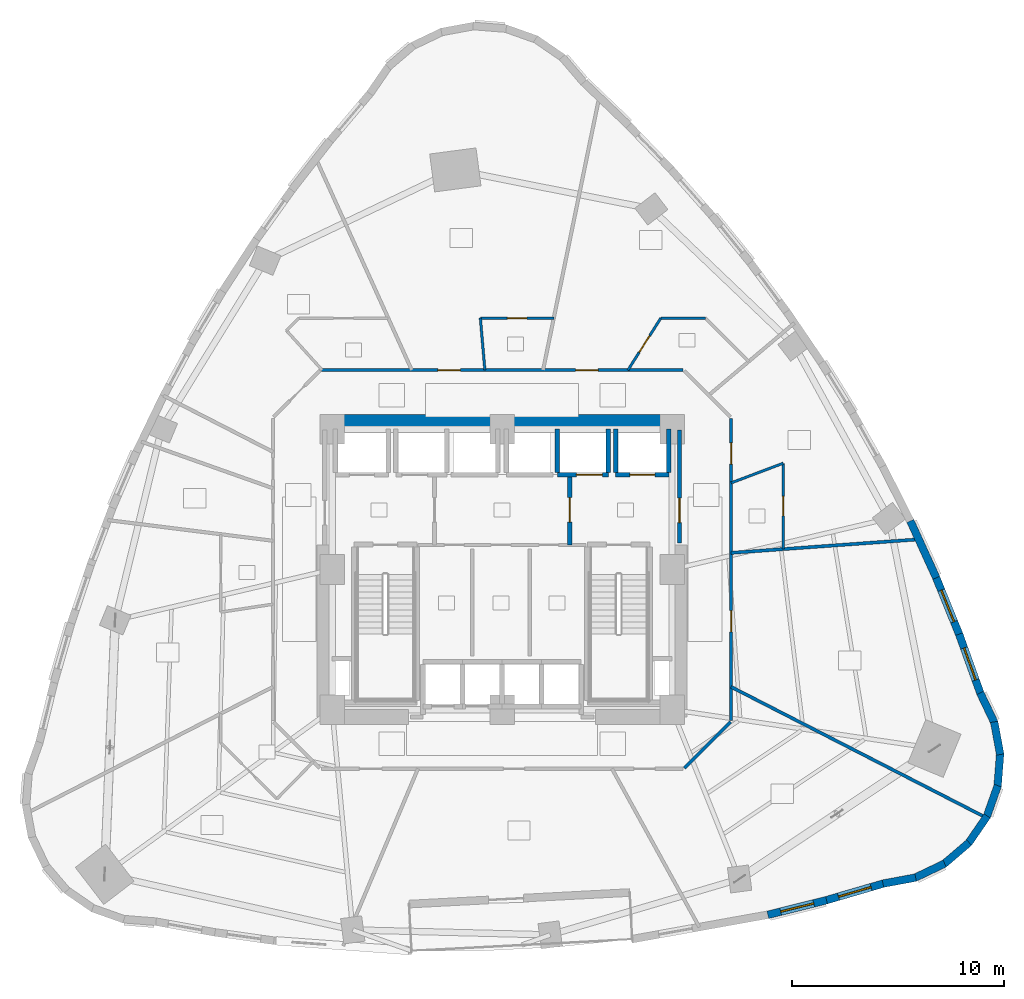
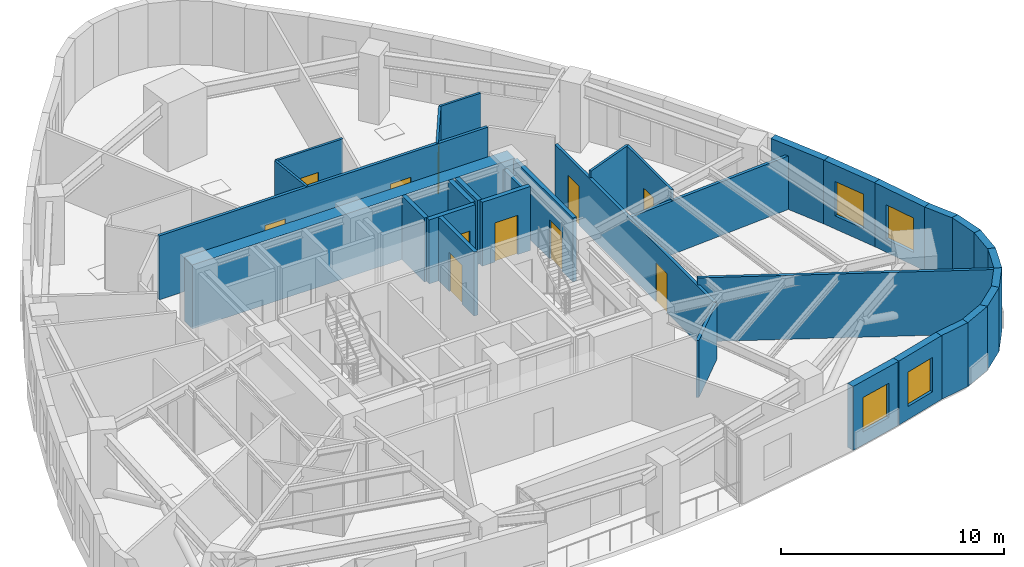
# One storey, part 7 of 11: 33 walls, 11 doors, 4 windows, 15 openings.
"""IFC4 building model written with IfcOpenShell, lengths in metres."""

from ifc_helpers import new_model, si_unit, direction, frame, frame_2d, origin, place, context, subcontext, project, spatial, rectangle, extrude, material, layer, layer_set, type_object, element, fill, save


model = new_model("IFC4")

# Units and contexts
model_context = context("Model", 3, precision=1e-05, world=origin(), true_north=direction((0.0, 1.0)))
body_context = subcontext(model_context, "Body", "Model", "MODEL_VIEW")
ifc_project = project(units=[si_unit("LENGTHUNIT", "METRE"), si_unit("AREAUNIT", "SQUARE_METRE"), si_unit("VOLUMEUNIT", "CUBIC_METRE"), si_unit("PLANEANGLEUNIT", "RADIAN"), si_unit("MASSUNIT", "GRAM", prefix="KILO")], contexts=[model_context])

# Site, building, storey
site_placement = place(None, origin())
site = spatial("IfcSite", under=ifc_project, at=site_placement, CompositionType="ELEMENT")
building_placement = place(site_placement, origin())
building = spatial("IfcBuilding", under=site, at=building_placement, Name="Ndelora Gate Hotel", CompositionType="ELEMENT")
storey_placement = place(building_placement, frame((0.0, 0.0, 41.75)))
storey = spatial("IfcBuildingStorey", under=building, at=storey_placement, Name="L09", CompositionType="ELEMENT", Elevation=41.75)

# Wall, opening, window
ifc_material_1 = material(Name="Clay Brick Masonry", Category="masonry")
ifc_layer_1 = layer(ifc_material_1, 0.360107421875)
ifc_layer_set_1 = layer_set([ifc_layer_1], Name="Clay Brick Masonry")
wall_type_1 = type_object("IfcWallType", Name="WL-BRICK-360", PredefinedType="SOLIDWALL", material=ifc_layer_set_1)
wall_1_placement = place(storey_placement, frame((15.269775390625, -15.569091796875, 0.0), z_axis=(0.0, 0.0, 1.0), x_axis=(-0.970177808132, -0.242394349375, 0.0)))
wall_1 = element("IfcWall", 1, at=wall_1_placement, inside=storey, type_object=wall_type_1, Name="L09 Tower Brick Pier-and-Spandrel Wall TWR-37", PredefinedType="SOLIDWALL", context=body_context, shape_type="SweptSolid", body=[
    extrude(rectangle(XDim=2.846435546875, YDim=0.360107421875, at=frame_2d((1.42333984375, 0.0))), origin(), (0.0, 0.0, 1.0), 3.5),
])
opening_1_placement = place(wall_1_placement, frame((0.623291015625, 0.0, 0.719970703125)))
opening_1 = element("IfcOpeningElement", 2, at=opening_1_placement, cuts=wall_1, Name="Opening W03", PredefinedType="OPENING", context=body_context, shape_type="SweptSolid", body=[
    extrude(rectangle(XDim=1.60009765625, YDim=1.8798828125, at=frame_2d((0.800048828125, 0.93994140625))), frame((0.0, 0.18994140625, 0.0), z_axis=(0.0, -1.0, 0.0), x_axis=(1.0, 0.0, 0.0)), (0.0, 0.0, 1.0), 0.380126953125),
])
ifc_material_2 = material(Name="Insulated Low-E Double Glazing in Bronze Aluminium Frame", Category="aluminium")
window_type_1 = type_object("IfcWindowType", Name="WN-CORN-2100", PartitioningType="SINGLE_PANEL", PredefinedType="WINDOW", material=ifc_material_2)
window_1_placement = place(opening_1_placement, origin())
window_1 = element("IfcWindow", 3, at=window_1_placement, inside=storey, type_object=window_type_1, Name="L09 Deep-Set Brick-Pier Window W03", OverallHeight=1.8798828125, OverallWidth=1.60009765625, PartitioningType="SINGLE_PANEL", PredefinedType="WINDOW", context=body_context, shape_type="SweptSolid", body=[
    extrude(rectangle(XDim=1.60009765625, YDim=1.8798828125, at=frame_2d((0.800048828125, 0.93994140625))), frame((0.0, 0.030029296875, 0.0), z_axis=(0.0, -1.0, 0.0), x_axis=(1.0, 0.0, 0.0)), (0.0, 0.0, 1.0), 0.06005859375),
])
fill(opening_1, window_1)

wall_2_placement = place(storey_placement, frame((17.9765625, -14.777587890625, 0.0), z_axis=(0.0, 0.0, 1.0), x_axis=(-0.959918981308, -0.280277629013, 0.0)))
wall_2 = element("IfcWall", 4, at=wall_2_placement, inside=storey, type_object=wall_type_1, Name="L09 Tower Brick Pier-and-Spandrel Wall TWR-38", PredefinedType="SOLIDWALL", context=body_context, shape_type="SweptSolid", body=[
    extrude(rectangle(XDim=2.8701171875, YDim=0.360107421875, at=frame_2d((1.43505859375, 0.0))), origin(), (0.0, 0.0, 1.0), 3.5),
])
opening_2_placement = place(wall_2_placement, frame((0.635009765625, 0.0, 0.719970703125)))
opening_2 = element("IfcOpeningElement", 5, at=opening_2_placement, cuts=wall_2, Name="Opening W01", PredefinedType="OPENING", context=body_context, shape_type="SweptSolid", body=[
    extrude(rectangle(XDim=1.60009765625, YDim=1.8798828125, at=frame_2d((0.800048828125, 0.93994140625))), frame((0.0, 0.18994140625, 0.0), z_axis=(0.0, -1.0, 0.0), x_axis=(1.0, 0.0, 0.0)), (0.0, 0.0, 1.0), 0.380126953125),
])
window_type_2 = type_object("IfcWindowType", Name="WN-DEEP-1600", PartitioningType="SINGLE_PANEL", PredefinedType="WINDOW", material=ifc_material_2)
window_2_placement = place(opening_2_placement, origin())
window_2 = element("IfcWindow", 6, at=window_2_placement, inside=storey, type_object=window_type_2, Name="L09 Deep-Set Brick-Pier Window W01", OverallHeight=1.8798828125, OverallWidth=1.60009765625, PartitioningType="SINGLE_PANEL", PredefinedType="WINDOW", context=body_context, shape_type="SweptSolid", body=[
    extrude(rectangle(XDim=1.60009765625, YDim=1.8798828125, at=frame_2d((0.800048828125, 0.93994140625))), frame((0.0, 0.030029296875, 0.0), z_axis=(0.0, -1.0, 0.0), x_axis=(1.0, 0.0, 0.0)), (0.0, 0.0, 1.0), 0.06005859375),
])
fill(opening_2, window_2)

# Walls
for number, where, z_axis, x_axis, name in (
    (7, (19.4658203125, -14.504150390625, 0.0), (0.0, 0.0, 1.0), (-0.983239538779, -0.182318428527, 0.0), "L09 Tower Brick Pier-and-Spandrel Wall TWR-39"),
    (8, (20.830322265625, -13.84619140625, 0.0), (0.0, 0.0, 1.0), (-0.902577552294, -0.430527307026, 0.0), "L09 Tower Brick Pier-and-Spandrel Wall TWR-40"),
    (9, (21.978271484375, -12.857421875, 0.0), (0.0, 0.0, 1.0), (-0.760489297029, -0.649350467086, 0.0), "L09 Tower Brick Pier-and-Spandrel Wall TWR-41"),
):
    element("IfcWall", number, at=place(storey_placement, frame(where, z_axis=z_axis, x_axis=x_axis)), inside=storey, type_object=wall_type_1, Name=name, PredefinedType="SOLIDWALL", context=body_context, shape_type="SweptSolid", body=[
        extrude(rectangle(XDim=1.56396484375, YDim=0.360107421875, at=frame_2d((0.781982421875, 0.0))), origin(), (0.0, 0.0, 1.0), 3.5),
    ])
for number, where, z_axis, x_axis, name in (
    (10, (22.8310546875, -11.60498046875, 0.0), (0.0, 0.0, 1.0), (-0.56642283125, -0.824114783412, 0.0), "L09 Tower Brick Pier-and-Spandrel Wall TWR-42"),
    (11, (23.33056640625, -10.1748046875, 0.0), (0.0, 0.0, 1.0), (-0.333685345648, -0.942684512496, 0.0), "L09 Tower Brick Pier-and-Spandrel Wall TWR-43"),
    (12, (23.443115234375, -8.6640625, 0.0), (0.0, 0.0, 1.0), (-0.078510627557, -0.99691327675, 0.0), "L09 Tower Brick Pier-and-Spandrel Wall TWR-44"),
):
    element("IfcWall", number, at=place(storey_placement, frame(where, z_axis=z_axis, x_axis=x_axis)), inside=storey, type_object=wall_type_1, Name=name, PredefinedType="SOLIDWALL", context=body_context, shape_type="SweptSolid", body=[
        extrude(rectangle(XDim=1.564208984375, YDim=0.360107421875, at=frame_2d((0.7822265625, 0.0))), origin(), (0.0, 0.0, 1.0), 3.5),
    ])
wall_3_placement = place(storey_placement, frame((23.160400390625, -7.17578125, 0.0), z_axis=(0.0, 0.0, 1.0), x_axis=(0.182318428527, -0.983239538779, 0.0)))
element("IfcWall", 13, at=wall_3_placement, inside=storey, type_object=wall_type_1, Name="L09 Tower Brick Pier-and-Spandrel Wall TWR-45", PredefinedType="SOLIDWALL", context=body_context, shape_type="SweptSolid", body=[
    extrude(rectangle(XDim=1.56396484375, YDim=0.360107421875, at=frame_2d((0.781982421875, 0.0))), origin(), (0.0, 0.0, 1.0), 3.5),
])
wall_4_placement = place(storey_placement, frame((22.50244140625, -5.81103515625, 0.0), z_axis=(0.0, 0.0, 1.0), x_axis=(0.430466656099, -0.902606480138, 0.0)))
element("IfcWall", 14, at=wall_4_placement, inside=storey, type_object=wall_type_1, Name="L09 Tower Brick Pier-and-Spandrel Wall TWR-46", PredefinedType="SOLIDWALL", context=body_context, shape_type="SweptSolid", body=[
    extrude(rectangle(XDim=1.564208984375, YDim=0.360107421875, at=frame_2d((0.7822265625, 0.0))), origin(), (0.0, 0.0, 1.0), 3.5),
])

# Wall, opening, window
wall_5_placement = place(storey_placement, frame((21.511474609375, -3.04638671875, 0.0), z_axis=(0.0, 0.0, 1.0), x_axis=(0.338236051909, -0.941061301504, 0.0)))
wall_5 = element("IfcWall", 15, at=wall_5_placement, inside=storey, type_object=wall_type_1, Name="L09 Tower Brick Pier-and-Spandrel Wall TWR-47", PredefinedType="SOLIDWALL", context=body_context, shape_type="SweptSolid", body=[
    extrude(rectangle(XDim=2.98681640625, YDim=0.360107421875, at=frame_2d((1.493408203125, 0.0))), origin(), (0.0, 0.0, 1.0), 3.5),
])
opening_3_placement = place(wall_5_placement, frame((0.693603515625, 0.0, 0.719970703125)))
opening_3 = element("IfcOpeningElement", 16, at=opening_3_placement, cuts=wall_5, Name="Opening W01", PredefinedType="OPENING", context=body_context, shape_type="SweptSolid", body=[
    extrude(rectangle(XDim=1.60009765625, YDim=1.8798828125, at=frame_2d((0.800048828125, 0.93994140625))), frame((0.0, 0.18994140625, 0.0), z_axis=(0.0, -1.0, 0.0), x_axis=(1.0, 0.0, 0.0)), (0.0, 0.0, 1.0), 0.380126953125),
])
window_3_placement = place(opening_3_placement, origin())
window_3 = element("IfcWindow", 17, at=window_3_placement, inside=storey, type_object=window_type_2, Name="L09 Deep-Set Brick-Pier Window W01", OverallHeight=1.8798828125, OverallWidth=1.60009765625, PartitioningType="SINGLE_PANEL", PredefinedType="WINDOW", context=body_context, shape_type="SweptSolid", body=[
    extrude(rectangle(XDim=1.60009765625, YDim=1.8798828125, at=frame_2d((0.800048828125, 0.93994140625))), frame((0.0, 0.030029296875, 0.0), z_axis=(0.0, -1.0, 0.0), x_axis=(1.0, 0.0, 0.0)), (0.0, 0.0, 1.0), 0.06005859375),
])
fill(opening_3, window_3)

wall_6_placement = place(storey_placement, frame((20.41455078125, -0.349365234375, 0.0), z_axis=(0.0, 0.0, 1.0), x_axis=(0.376416849552, -0.926450406322, 0.0)))
wall_6 = element("IfcWall", 18, at=wall_6_placement, inside=storey, type_object=wall_type_1, Name="L09 Tower Brick Pier-and-Spandrel Wall TWR-48", PredefinedType="SOLIDWALL", context=body_context, shape_type="SweptSolid", body=[
    extrude(rectangle(XDim=2.96142578125, YDim=0.360107421875, at=frame_2d((1.480712890625, 0.0))), origin(), (0.0, 0.0, 1.0), 3.5),
])
opening_4_placement = place(wall_6_placement, frame((0.6806640625, 0.0, 0.719970703125)))
opening_4 = element("IfcOpeningElement", 19, at=opening_4_placement, cuts=wall_6, Name="Opening W01", PredefinedType="OPENING", context=body_context, shape_type="SweptSolid", body=[
    extrude(rectangle(XDim=1.60009765625, YDim=1.8798828125, at=frame_2d((0.800048828125, 0.93994140625))), frame((0.0, 0.18994140625, 0.0), z_axis=(0.0, -1.0, 0.0), x_axis=(1.0, 0.0, 0.0)), (0.0, 0.0, 1.0), 0.380126953125),
])
window_4_placement = place(opening_4_placement, origin())
window_4 = element("IfcWindow", 20, at=window_4_placement, inside=storey, type_object=window_type_2, Name="L09 Deep-Set Brick-Pier Window W01", OverallHeight=1.8798828125, OverallWidth=1.60009765625, PartitioningType="SINGLE_PANEL", PredefinedType="WINDOW", context=body_context, shape_type="SweptSolid", body=[
    extrude(rectangle(XDim=1.60009765625, YDim=1.8798828125, at=frame_2d((0.800048828125, 0.93994140625))), frame((0.0, 0.030029296875, 0.0), z_axis=(0.0, -1.0, 0.0), x_axis=(1.0, 0.0, 0.0)), (0.0, 0.0, 1.0), 0.06005859375),
])
fill(opening_4, window_4)

# Walls
wall_7_placement = place(storey_placement, frame((19.215087890625, 2.281005859375, 0.0), z_axis=(0.0, 0.0, 1.0), x_axis=(0.414578361646, -0.910013616412, 0.0)))
element("IfcWall", 21, at=wall_7_placement, inside=storey, type_object=wall_type_1, Name="L09 Tower Brick Pier-and-Spandrel Wall TWR-49", PredefinedType="SOLIDWALL", context=body_context, shape_type="SweptSolid", body=[
    extrude(rectangle(XDim=2.94091796875, YDim=0.360107421875, at=frame_2d((1.470458984375, 0.0))), origin(), (0.0, 0.0, 1.0), 3.5),
])
ifc_material_3 = material(Name="Concrete C60/75", Category="concrete")
ifc_layer_2 = layer(ifc_material_3, 0.699951171875)
ifc_layer_set_2 = layer_set([ifc_layer_2], Name="Concrete C60/75")
wall_type_2 = type_object("IfcWallType", Name="WL-CORE-700", PredefinedType="SHEAR", material=ifc_layer_set_2)
wall_8_placement = place(storey_placement, frame((-8.35009765625, 6.949951171875, 0.0), z_axis=(0.0, 0.0, 1.0), x_axis=(1.0, 0.0, 0.0)))
element("IfcWall", 22, at=wall_8_placement, inside=storey, type_object=wall_type_2, Name="L09 Core Shear Wall N", PredefinedType="SHEAR", context=body_context, shape_type="SweptSolid", body=[
    extrude(rectangle(XDim=16.7001953125, YDim=0.699951171875, at=frame_2d((8.35009765625, 0.0))), origin(), (0.0, 0.0, 1.0), 3.5),
])

# Wall, opening, door
ifc_material_4 = material(Name="Concrete C40/50", Category="concrete")
ifc_layer_3 = layer(ifc_material_4, 0.199951171875)
ifc_layer_set_3 = layer_set([ifc_layer_3], Name="Concrete C40/50")
wall_type_3 = type_object("IfcWallType", Name="WL-FIRE-200", PredefinedType="PARTITIONING", material=ifc_layer_set_3)
wall_9_placement = place(storey_placement, frame((3.179931640625, 1.14990234375, 0.0), z_axis=(0.0, 0.0, 1.0), x_axis=(0.0, 1.0, 0.0)))
wall_9 = element("IfcWall", 23, at=wall_9_placement, inside=storey, type_object=wall_type_3, Name="L09 Interior Wall IW-2", PredefinedType="PARTITIONING", context=body_context, shape_type="SweptSolid", body=[
    extrude(rectangle(XDim=3.300048828125, YDim=0.199951171875, at=frame_2d((1.64990234375, 0.0))), origin(), (0.0, 0.0, 1.0), 3.5),
])
opening_5_placement = place(wall_9_placement, frame((1.080078125, 0.0, 0.0)))
opening_5 = element("IfcOpeningElement", 24, at=opening_5_placement, cuts=wall_9, Name="Opening FD1", PredefinedType="OPENING", context=body_context, shape_type="SweptSolid", body=[
    extrude(rectangle(XDim=1.14990234375, YDim=2.14990234375, at=frame_2d((0.574951171875, 1.074951171875))), frame((0.0, 0.10986328125, 0.0), z_axis=(0.0, -1.0, 0.0), x_axis=(1.0, 0.0, 0.0)), (0.0, 0.0, 1.0), 0.219970703125),
])
ifc_material_5 = material(Name="Fire-Rated Timber-Veneer Steel Core", Category="steel")
door_type_1 = type_object("IfcDoorType", Name="DR-FD60", OperationType="SINGLE_SWING_LEFT", PredefinedType="DOOR", material=ifc_material_5)
door_1_placement = place(opening_5_placement, origin())
door_1 = element("IfcDoor", 25, at=door_1_placement, inside=storey, type_object=door_type_1, Name="L09 Firefighting Lobby East Door", OperationType="SINGLE_SWING_LEFT", OverallHeight=2.14990234375, OverallWidth=1.14990234375, PredefinedType="DOOR", context=body_context, shape_type="SweptSolid", body=[
    extrude(rectangle(XDim=1.14990234375, YDim=2.14990234375, at=frame_2d((0.574951171875, 1.074951171875))), frame((0.0, 0.02490234375, 0.0), z_axis=(0.0, -1.0, 0.0), x_axis=(1.0, 0.0, 0.0)), (0.0, 0.0, 1.0), 0.050048828125),
])
fill(opening_5, door_1)

wall_10_placement = place(storey_placement, frame((8.35009765625, 1.25, 0.0), z_axis=(0.0, 0.0, 1.0), x_axis=(0.0, 1.0, 0.0)))
wall_10 = element("IfcWall", 26, at=wall_10_placement, inside=storey, type_object=wall_type_3, Name="L09 Interior Wall IW-2", PredefinedType="PARTITIONING", context=body_context, shape_type="SweptSolid", body=[
    extrude(rectangle(XDim=5.300048828125, YDim=0.199951171875, at=frame_2d((2.64990234375, 0.0))), origin(), (0.0, 0.0, 1.0), 3.5),
])
opening_6_placement = place(wall_10_placement, frame((0.949951171875, 0.0, 0.0)))
opening_6 = element("IfcOpeningElement", 27, at=opening_6_placement, cuts=wall_10, Name="Opening FD1", PredefinedType="OPENING", context=body_context, shape_type="SweptSolid", body=[
    extrude(rectangle(XDim=1.14990234375, YDim=2.14990234375, at=frame_2d((0.574951171875, 1.074951171875))), frame((0.0, 0.10986328125, 0.0), z_axis=(0.0, -1.0, 0.0), x_axis=(1.0, 0.0, 0.0)), (0.0, 0.0, 1.0), 0.219970703125),
])
door_2_placement = place(opening_6_placement, origin())
door_2 = element("IfcDoor", 28, at=door_2_placement, inside=storey, type_object=door_type_1, Name="L09 Firefighting Lobby East Corridor Door", OperationType="SINGLE_SWING_RIGHT", OverallHeight=2.14990234375, OverallWidth=1.14990234375, PredefinedType="DOOR", context=body_context, shape_type="SweptSolid", body=[
    extrude(rectangle(XDim=1.14990234375, YDim=2.14990234375, at=frame_2d((0.574951171875, 1.074951171875))), frame((0.0, 0.02490234375, 0.0), z_axis=(0.0, -1.0, 0.0), x_axis=(1.0, 0.0, 0.0)), (0.0, 0.0, 1.0), 0.050048828125),
])
fill(opening_6, door_2)

# Wall
ifc_material_6 = material(Name="Fire-Rated Gypsum Stud Partition", Category="gypsum")
ifc_layer_4 = layer(ifc_material_6, 0.14990234375)
ifc_layer_set_4 = layer_set([ifc_layer_4], Name="Fire-Rated Gypsum Stud Partition")
wall_type_4 = type_object("IfcWallType", Name="WL-PART-150", PredefinedType="PARTITIONING", material=ifc_layer_set_4)
wall_11_placement = place(storey_placement, frame((10.751708984375, -7.17822265625, 0.0), z_axis=(0.0, 0.0, 1.0), x_axis=(-0.707067066127, -0.707146494016, 0.0)))
element("IfcWall", 29, at=wall_11_placement, inside=storey, type_object=wall_type_4, Name="L09 Interior Wall IW-5", PredefinedType="PARTITIONING", context=body_context, shape_type="SweptSolid", body=[
    extrude(rectangle(XDim=3.07373046875, YDim=0.14990234375, at=frame_2d((1.536865234375, 0.0))), origin(), (0.0, 0.0, 1.0), 3.1201171875),
])

# Wall, openings, doors
wall_12_placement = place(storey_placement, frame((10.780029296875, 7.110107421875, 0.0), z_axis=(0.0, 0.0, 1.0), x_axis=(0.0, -1.0, 0.0)))
wall_12 = element("IfcWall", 30, at=wall_12_placement, inside=storey, type_object=wall_type_4, Name="L09 Interior Wall IW-5", PredefinedType="PARTITIONING", context=body_context, shape_type="SweptSolid", body=[
    extrude(rectangle(XDim=14.22021484375, YDim=0.14990234375, at=frame_2d((7.110107421875, 0.0))), origin(), (0.0, 0.0, 1.0), 3.1201171875),
])
opening_7_placement = place(wall_12_placement, frame((1.1591796875, 0.0, 0.0)))
opening_7 = element("IfcOpeningElement", 31, at=opening_7_placement, cuts=wall_12, Name="Opening D01", PredefinedType="OPENING", context=body_context, shape_type="SweptSolid", body=[
    extrude(rectangle(XDim=1.0, YDim=2.14990234375, at=frame_2d((0.5, 1.074951171875))), frame((0.0, 0.0849609375, 0.0), z_axis=(0.0, -1.0, 0.0), x_axis=(1.0, 0.0, 0.0)), (0.0, 0.0, 1.0), 0.169921875),
])
opening_8_placement = place(wall_12_placement, frame((9.045654296875, 0.0, 0.0)))
opening_8 = element("IfcOpeningElement", 32, at=opening_8_placement, cuts=wall_12, Name="Opening D01", PredefinedType="OPENING", context=body_context, shape_type="SweptSolid", body=[
    extrude(rectangle(XDim=1.0, YDim=2.14990234375, at=frame_2d((0.5, 1.074951171875))), frame((0.0, 0.0849609375, 0.0), z_axis=(0.0, -1.0, 0.0), x_axis=(1.0, 0.0, 0.0)), (0.0, 0.0, 1.0), 0.169921875),
])
ifc_material_7 = material(Name="Acoustic Hardwood Guest Entrance Door", Category="wood")
door_type_2 = type_object("IfcDoorType", Name="DR-COR-1000", OperationType="SINGLE_SWING_LEFT", PredefinedType="DOOR", material=ifc_material_7)
door_3_placement = place(opening_7_placement, origin())
door_3 = element("IfcDoor", 33, at=door_3_placement, inside=storey, type_object=door_type_2, Name="L09 Twin Guest Room 1203 Entrance Door", OperationType="SINGLE_SWING_RIGHT", OverallHeight=2.14990234375, OverallWidth=1.0, PredefinedType="DOOR", context=body_context, shape_type="SweptSolid", body=[
    extrude(rectangle(XDim=1.0, YDim=2.14990234375, at=frame_2d((0.5, 1.074951171875))), frame((0.0, 0.02490234375, 0.0), z_axis=(0.0, -1.0, 0.0), x_axis=(1.0, 0.0, 0.0)), (0.0, 0.0, 1.0), 0.050048828125),
])
fill(opening_7, door_3)
door_4_placement = place(opening_8_placement, origin())
door_4 = element("IfcDoor", 34, at=door_4_placement, inside=storey, type_object=door_type_2, Name="L09 Reading Library Room Entrance Door", OperationType="SINGLE_SWING_RIGHT", OverallHeight=2.14990234375, OverallWidth=1.0, PredefinedType="DOOR", context=body_context, shape_type="SweptSolid", body=[
    extrude(rectangle(XDim=1.0, YDim=2.14990234375, at=frame_2d((0.5, 1.074951171875))), frame((0.0, 0.02490234375, 0.0), z_axis=(0.0, -1.0, 0.0), x_axis=(1.0, 0.0, 0.0)), (0.0, 0.0, 1.0), 0.050048828125),
])
fill(opening_8, door_4)

wall_13_placement = place(storey_placement, frame((-8.510009765625, 9.3798828125, 0.0), z_axis=(0.0, 0.0, 1.0), x_axis=(1.0, 0.0, 0.0)))
wall_13 = element("IfcWall", 35, at=wall_13_placement, inside=storey, type_object=wall_type_4, Name="L09 Interior Wall IW-5", PredefinedType="PARTITIONING", context=body_context, shape_type="SweptSolid", body=[
    extrude(rectangle(XDim=17.02001953125, YDim=0.14990234375, at=frame_2d((8.510009765625, 0.0))), origin(), (0.0, 0.0, 1.0), 3.5),
])
opening_9_placement = place(wall_13_placement, frame((11.971435546875, 0.0, 0.0)))
opening_9 = element("IfcOpeningElement", 36, at=opening_9_placement, cuts=wall_13, Name="Opening D07", PredefinedType="OPENING", context=body_context, shape_type="SweptSolid", body=[
    extrude(rectangle(XDim=1.06005859375, YDim=2.14990234375, at=frame_2d((0.530029296875, 1.074951171875))), frame((0.0, 0.0849609375, 0.0), z_axis=(0.0, -1.0, 0.0), x_axis=(1.0, 0.0, 0.0)), (0.0, 0.0, 1.0), 0.169921875),
])
opening_10_placement = place(wall_13_placement, frame((5.49169921875, 0.0, 0.0)))
opening_10 = element("IfcOpeningElement", 37, at=opening_10_placement, cuts=wall_13, Name="Opening D07", PredefinedType="OPENING", context=body_context, shape_type="SweptSolid", body=[
    extrude(rectangle(XDim=1.06005859375, YDim=2.14990234375, at=frame_2d((0.530029296875, 1.074951171875))), frame((0.0, 0.0849609375, 0.0), z_axis=(0.0, -1.0, 0.0), x_axis=(1.0, 0.0, 0.0)), (0.0, 0.0, 1.0), 0.169921875),
])
ifc_material_8 = material(Name="Diplomatic Suite Acoustic Entrance Door", Category="wood")
door_type_3 = type_object("IfcDoorType", Name="DR-SUITE-1060", OperationType="SINGLE_SWING_LEFT", PredefinedType="DOOR", material=ifc_material_8)
door_5_placement = place(opening_9_placement, origin())
door_5 = element("IfcDoor", 38, at=door_5_placement, inside=storey, type_object=door_type_3, Name="L09 Corner Junior Suite 1204 Entrance Door", OperationType="SINGLE_SWING_RIGHT", OverallHeight=2.14990234375, OverallWidth=1.06005859375, PredefinedType="DOOR", context=body_context, shape_type="SweptSolid", body=[
    extrude(rectangle(XDim=1.06005859375, YDim=2.14990234375, at=frame_2d((0.530029296875, 1.074951171875))), frame((0.0, 0.02490234375, 0.0), z_axis=(0.0, -1.0, 0.0), x_axis=(1.0, 0.0, 0.0)), (0.0, 0.0, 1.0), 0.050048828125),
])
fill(opening_9, door_5)
door_6_placement = place(opening_10_placement, origin())
door_6 = element("IfcDoor", 39, at=door_6_placement, inside=storey, type_object=door_type_3, Name="L09 Deluxe King Junior Suite 1205 Entrance Door", OperationType="SINGLE_SWING_RIGHT", OverallHeight=2.14990234375, OverallWidth=1.06005859375, PredefinedType="DOOR", context=body_context, shape_type="SweptSolid", body=[
    extrude(rectangle(XDim=1.06005859375, YDim=2.14990234375, at=frame_2d((0.530029296875, 1.074951171875))), frame((0.0, 0.02490234375, 0.0), z_axis=(0.0, -1.0, 0.0), x_axis=(1.0, 0.0, 0.0)), (0.0, 0.0, 1.0), 0.050048828125),
])
fill(opening_10, door_6)

# Walls
wall_14_placement = place(storey_placement, frame((10.780029296875, -5.529541015625, 0.0), z_axis=(0.0, 0.0, 1.0), x_axis=(0.889773346048, -0.456402665048, 0.0)))
element("IfcWall", 40, at=wall_14_placement, inside=storey, type_object=wall_type_4, Name="L09 Interior Wall IW-5", PredefinedType="PARTITIONING", context=body_context, shape_type="SweptSolid", body=[
    extrude(rectangle(XDim=13.4833984375, YDim=0.14990234375, at=frame_2d((6.74169921875, 0.0))), origin(), (0.0, 0.0, 1.0), 3.5),
])
wall_15_placement = place(storey_placement, frame((10.780029296875, 0.77734375, 0.0), z_axis=(0.0, 0.0, 1.0), x_axis=(0.997408338359, 0.071948638431, 0.0)))
element("IfcWall", 41, at=wall_15_placement, inside=storey, type_object=wall_type_4, Name="L09 Interior Wall IW-5", PredefinedType="PARTITIONING", context=body_context, shape_type="SweptSolid", body=[
    extrude(rectangle(XDim=8.85302734375, YDim=0.14990234375, at=frame_2d((4.426513671875, 0.0))), origin(), (0.0, 0.0, 1.0), 2.929931640625),
])

# Wall, opening, door
ifc_layer_5 = layer(ifc_material_4, 0.219970703125)
ifc_layer_set_5 = layer_set([ifc_layer_5], Name="Concrete C40/50")
wall_type_5 = type_object("IfcWallType", Name="WL-SHAFT-220", PredefinedType="PARTITIONING", material=ifc_layer_set_5)
wall_16_placement = place(storey_placement, frame((5.35009765625, 4.449951171875, 0.0), z_axis=(0.0, 0.0, 1.0), x_axis=(1.0, 0.0, 0.0)))
wall_16 = element("IfcWall", 42, at=wall_16_placement, inside=storey, type_object=wall_type_5, Name="L09 Interior Wall IW-1", PredefinedType="PARTITIONING", context=body_context, shape_type="SweptSolid", body=[
    extrude(rectangle(XDim=2.5, YDim=0.219970703125, at=frame_2d((1.25, 0.0))), origin(), (0.0, 0.0, 1.0), 3.5),
])
opening_11_placement = place(wall_16_placement, frame((0.659912109375, 0.0, 0.0)))
opening_11 = element("IfcOpeningElement", 43, at=opening_11_placement, cuts=wall_16, Name="Opening LD5", PredefinedType="OPENING", context=body_context, shape_type="SweptSolid", body=[
    extrude(rectangle(XDim=1.179931640625, YDim=2.14990234375, at=frame_2d((0.58984375, 1.074951171875))), frame((0.0, 0.1201171875, 0.0), z_axis=(0.0, -1.0, 0.0), x_axis=(1.0, 0.0, 0.0)), (0.0, 0.0, 1.0), 0.239990234375),
])
ifc_material_9 = material(Name="Firefighting Lift Stainless Sliding Landing Door", Category="metal")
door_type_4 = type_object("IfcDoorType", Name="DR-LD5", OperationType="DOUBLE_DOOR_SLIDING", PredefinedType="DOOR", material=ifc_material_9)
door_7_placement = place(opening_11_placement, origin())
door_7 = element("IfcDoor", 44, at=door_7_placement, inside=storey, type_object=door_type_4, Name="L09 Lift Landing Sliding Door FFL2", OperationType="DOUBLE_DOOR_SLIDING", OverallHeight=2.14990234375, OverallWidth=1.179931640625, PredefinedType="DOOR", context=body_context, shape_type="SweptSolid", body=[
    extrude(rectangle(XDim=1.179931640625, YDim=2.14990234375, at=frame_2d((0.58984375, 1.074951171875))), frame((0.0, 0.02490234375, 0.0), z_axis=(0.0, -1.0, 0.0), x_axis=(1.0, 0.0, 0.0)), (0.0, 0.0, 1.0), 0.050048828125),
])
fill(opening_11, door_7)

# Walls
wall_17_placement = place(storey_placement, frame((5.35009765625, 4.570068359375, 0.0), z_axis=(0.0, 0.0, 1.0), x_axis=(0.0, 1.0, 0.0)))
element("IfcWall", 45, at=wall_17_placement, inside=storey, type_object=wall_type_5, Name="L09 Interior Wall IW-1", PredefinedType="PARTITIONING", context=body_context, shape_type="SweptSolid", body=[
    extrude(rectangle(XDim=2.030029296875, YDim=0.219970703125, at=frame_2d((1.01513671875, 0.0))), origin(), (0.0, 0.0, 1.0), 3.5),
])
wall_18_placement = place(storey_placement, frame((7.85009765625, 4.570068359375, 0.0), z_axis=(0.0, 0.0, 1.0), x_axis=(0.0, 1.0, 0.0)))
element("IfcWall", 46, at=wall_18_placement, inside=storey, type_object=wall_type_5, Name="L09 Interior Wall IW-1", PredefinedType="PARTITIONING", context=body_context, shape_type="SweptSolid", body=[
    extrude(rectangle(XDim=2.030029296875, YDim=0.219970703125, at=frame_2d((1.01513671875, 0.0))), origin(), (0.0, 0.0, 1.0), 3.080078125),
])

# Wall, opening, door
wall_19_placement = place(storey_placement, frame((2.60009765625, 4.449951171875, 0.0), z_axis=(0.0, 0.0, 1.0), x_axis=(1.0, 0.0, 0.0)))
wall_19 = element("IfcWall", 47, at=wall_19_placement, inside=storey, type_object=wall_type_5, Name="L09 Interior Wall IW-1", PredefinedType="PARTITIONING", context=body_context, shape_type="SweptSolid", body=[
    extrude(rectangle(XDim=2.39990234375, YDim=0.219970703125, at=frame_2d((1.199951171875, 0.0))), origin(), (0.0, 0.0, 1.0), 3.5),
])
opening_12_placement = place(wall_19_placement, frame((0.89990234375, 0.0, 0.0)))
opening_12 = element("IfcOpeningElement", 48, at=opening_12_placement, cuts=wall_19, Name="Opening LD6", PredefinedType="OPENING", context=body_context, shape_type="SweptSolid", body=[
    extrude(rectangle(XDim=1.219970703125, YDim=2.14990234375, at=frame_2d((0.60986328125, 1.074951171875))), frame((0.0, 0.1201171875, 0.0), z_axis=(0.0, -1.0, 0.0), x_axis=(1.0, 0.0, 0.0)), (0.0, 0.0, 1.0), 0.239990234375),
])
ifc_material_10 = material(Name="Heavy-Duty Service Lift Sliding Landing Door", Category="wood")
door_type_5 = type_object("IfcDoorType", Name="DR-LD6", OperationType="DOUBLE_DOOR_SLIDING", PredefinedType="DOOR", material=ifc_material_10)
door_8_placement = place(opening_12_placement, origin())
door_8 = element("IfcDoor", 49, at=door_8_placement, inside=storey, type_object=door_type_5, Name="L09 Lift Landing Sliding Door SVL2", OperationType="DOUBLE_DOOR_SLIDING", OverallHeight=2.14990234375, OverallWidth=1.219970703125, PredefinedType="DOOR", context=body_context, shape_type="SweptSolid", body=[
    extrude(rectangle(XDim=1.219970703125, YDim=2.14990234375, at=frame_2d((0.60986328125, 1.074951171875))), frame((0.0, 0.02490234375, 0.0), z_axis=(0.0, -1.0, 0.0), x_axis=(1.0, 0.0, 0.0)), (0.0, 0.0, 1.0), 0.050048828125),
])
fill(opening_12, door_8)

# Walls
for number, where, z_axis, x_axis, name in (
    (50, (2.60009765625, 4.570068359375, 0.0), (0.0, 0.0, 1.0), (0.0, 1.0, 0.0), "L09 Interior Wall IW-1"),
    (51, (5.0, 4.570068359375, 0.0), (0.0, 0.0, 1.0), (0.0, 1.0, 0.0), "L09 Interior Wall IW-1"),
):
    element("IfcWall", number, at=place(storey_placement, frame(where, z_axis=z_axis, x_axis=x_axis)), inside=storey, type_object=wall_type_5, Name=name, PredefinedType="PARTITIONING", context=body_context, shape_type="SweptSolid", body=[
        extrude(rectangle(XDim=2.030029296875, YDim=0.219970703125, at=frame_2d((1.01513671875, 0.0))), origin(), (0.0, 0.0, 1.0), 3.5),
    ])
ifc_material_11 = material(Name="Moisture-Resistant Bathroom Tile Partition", Category="gypsum")
ifc_layer_6 = layer(ifc_material_11, 0.1201171875)
ifc_layer_set_6 = layer_set([ifc_layer_6], Name="Moisture-Resistant Bathroom Tile Partition")
wall_type_6 = type_object("IfcWallType", Name="WL-WET-120", PredefinedType="PARTITIONING", material=ifc_layer_set_6)
wall_20_placement = place(storey_placement, frame((10.780029296875, 4.0703125, 0.0), z_axis=(0.0, 0.0, 1.0), x_axis=(0.935564526292, 0.353155797269, 0.0)))
element("IfcWall", 52, at=wall_20_placement, inside=storey, type_object=wall_type_6, Name="L09 Interior Wall IW-7", PredefinedType="PARTITIONING", context=body_context, shape_type="SweptSolid", body=[
    extrude(rectangle(XDim=2.61865234375, YDim=0.1201171875, at=frame_2d((1.309326171875, 0.0))), origin(), (0.0, 0.0, 1.0), 3.5),
])

# Wall, opening, door
wall_21_placement = place(storey_placement, frame((13.22998046875, 4.9951171875, 0.0), z_axis=(0.0, 0.0, 1.0), x_axis=(0.0, -1.0, 0.0)))
wall_21 = element("IfcWall", 53, at=wall_21_placement, inside=storey, type_object=wall_type_6, Name="L09 Interior Wall IW-7", PredefinedType="PARTITIONING", context=body_context, shape_type="SweptSolid", body=[
    extrude(rectangle(XDim=4.041015625, YDim=0.1201171875, at=frame_2d((2.0205078125, 0.0))), origin(), (0.0, 0.0, 1.0), 3.5),
])
opening_13_placement = place(wall_21_placement, frame((1.560546875, 0.0, 0.0)))
opening_13 = element("IfcOpeningElement", 54, at=opening_13_placement, cuts=wall_21, Name="Opening D03", PredefinedType="OPENING", context=body_context, shape_type="SweptSolid", body=[
    extrude(rectangle(XDim=0.919921875, YDim=2.10009765625, at=frame_2d((0.4599609375, 1.050048828125))), frame((0.0, 0.070068359375, 0.0), z_axis=(0.0, -1.0, 0.0), x_axis=(1.0, 0.0, 0.0)), (0.0, 0.0, 1.0), 0.14013671875),
])
ifc_material_12 = material(Name="Moisture-Resistant Hardwood En-Suite Door", Category="wood")
door_type_6 = type_object("IfcDoorType", Name="DR-BATH-920", OperationType="SINGLE_SWING_LEFT", PredefinedType="DOOR", material=ifc_material_12)
door_9_placement = place(opening_13_placement, origin())
door_9 = element("IfcDoor", 55, at=door_9_placement, inside=storey, type_object=door_type_6, Name="L09 En-suite Bathroom 1203 Door", OperationType="SINGLE_SWING_RIGHT", OverallHeight=2.10009765625, OverallWidth=0.919921875, PredefinedType="DOOR", context=body_context, shape_type="SweptSolid", body=[
    extrude(rectangle(XDim=0.919921875, YDim=2.10009765625, at=frame_2d((0.4599609375, 1.050048828125))), frame((0.0, 0.02490234375, 0.0), z_axis=(0.0, -1.0, 0.0), x_axis=(1.0, 0.0, 0.0)), (0.0, 0.0, 1.0), 0.050048828125),
])
fill(opening_13, door_9)

wall_22_placement = place(storey_placement, frame((5.92529296875, 9.3798828125, 0.0), z_axis=(0.0, 0.0, 1.0), x_axis=(0.534021517206, 0.845470886052, 0.0)))
wall_22 = element("IfcWall", 56, at=wall_22_placement, inside=storey, type_object=wall_type_6, Name="L09 Interior Wall IW-7", PredefinedType="PARTITIONING", context=body_context, shape_type="SweptSolid", body=[
    extrude(rectangle(XDim=2.89794921875, YDim=0.1201171875, at=frame_2d((1.448974609375, 0.0))), origin(), (0.0, 0.0, 1.0), 3.5),
])
opening_14_placement = place(wall_22_placement, frame((0.989013671875, 0.0, 0.0)))
opening_14 = element("IfcOpeningElement", 57, at=opening_14_placement, cuts=wall_22, Name="Opening D03", PredefinedType="OPENING", context=body_context, shape_type="SweptSolid", body=[
    extrude(rectangle(XDim=0.919921875, YDim=2.10009765625, at=frame_2d((0.4599609375, 1.050048828125))), frame((0.0, 0.070068359375, 0.0), z_axis=(0.0, -1.0, 0.0), x_axis=(1.0, 0.0, 0.0)), (0.0, 0.0, 1.0), 0.14013671875),
])
door_10_placement = place(opening_14_placement, origin())
door_10 = element("IfcDoor", 58, at=door_10_placement, inside=storey, type_object=door_type_6, Name="L09 En-suite Bathroom 1204 Door", OperationType="SINGLE_SWING_LEFT", OverallHeight=2.10009765625, OverallWidth=0.919921875, PredefinedType="DOOR", context=body_context, shape_type="SweptSolid", body=[
    extrude(rectangle(XDim=0.919921875, YDim=2.10009765625, at=frame_2d((0.4599609375, 1.050048828125))), frame((0.0, 0.02490234375, 0.0), z_axis=(0.0, -1.0, 0.0), x_axis=(1.0, 0.0, 0.0)), (0.0, 0.0, 1.0), 0.050048828125),
])
fill(opening_14, door_10)

# Walls
wall_23_placement = place(storey_placement, frame((7.472900390625, 11.830078125, 0.0), z_axis=(0.0, 0.0, 1.0), x_axis=(1.0, 0.0, 0.0)))
element("IfcWall", 59, at=wall_23_placement, inside=storey, type_object=wall_type_6, Name="L09 Interior Wall IW-7", PredefinedType="PARTITIONING", context=body_context, shape_type="SweptSolid", body=[
    extrude(rectangle(XDim=2.091796875, YDim=0.1201171875, at=frame_2d((1.0458984375, 0.0))), origin(), (0.0, 0.0, 1.0), 3.5),
])
wall_24_placement = place(storey_placement, frame((-0.809814453125, 9.3798828125, 0.0), z_axis=(0.0, 0.0, 1.0), x_axis=(-0.086068429702, 0.996289227789, 0.0)))
element("IfcWall", 60, at=wall_24_placement, inside=storey, type_object=wall_type_6, Name="L09 Interior Wall IW-7", PredefinedType="PARTITIONING", context=body_context, shape_type="SweptSolid", body=[
    extrude(rectangle(XDim=2.459228515625, YDim=0.1201171875, at=frame_2d((1.2294921875, 0.0))), origin(), (0.0, 0.0, 1.0), 3.5),
])

# Wall, opening, door
wall_25_placement = place(storey_placement, frame((-1.021484375, 11.830078125, 0.0), z_axis=(0.0, 0.0, 1.0), x_axis=(1.0, 0.0, 0.0)))
wall_25 = element("IfcWall", 61, at=wall_25_placement, inside=storey, type_object=wall_type_6, Name="L09 Interior Wall IW-7", PredefinedType="PARTITIONING", context=body_context, shape_type="SweptSolid", body=[
    extrude(rectangle(XDim=3.455078125, YDim=0.1201171875, at=frame_2d((1.7275390625, 0.0))), origin(), (0.0, 0.0, 1.0), 3.5),
])
opening_15_placement = place(wall_25_placement, frame((1.267578125, 0.0, 0.0)))
opening_15 = element("IfcOpeningElement", 62, at=opening_15_placement, cuts=wall_25, Name="Opening D03", PredefinedType="OPENING", context=body_context, shape_type="SweptSolid", body=[
    extrude(rectangle(XDim=0.919921875, YDim=2.10009765625, at=frame_2d((0.4599609375, 1.050048828125))), frame((0.0, 0.070068359375, 0.0), z_axis=(0.0, -1.0, 0.0), x_axis=(1.0, 0.0, 0.0)), (0.0, 0.0, 1.0), 0.14013671875),
])
door_11_placement = place(opening_15_placement, origin())
door_11 = element("IfcDoor", 63, at=door_11_placement, inside=storey, type_object=door_type_6, Name="L09 En-suite Bathroom 1205 Door", OperationType="SINGLE_SWING_RIGHT", OverallHeight=2.10009765625, OverallWidth=0.919921875, PredefinedType="DOOR", context=body_context, shape_type="SweptSolid", body=[
    extrude(rectangle(XDim=0.919921875, YDim=2.10009765625, at=frame_2d((0.4599609375, 1.050048828125))), frame((0.0, 0.02490234375, 0.0), z_axis=(0.0, -1.0, 0.0), x_axis=(1.0, 0.0, 0.0)), (0.0, 0.0, 1.0), 0.050048828125),
])
fill(opening_15, door_11)

save(model, "model.ifc")
